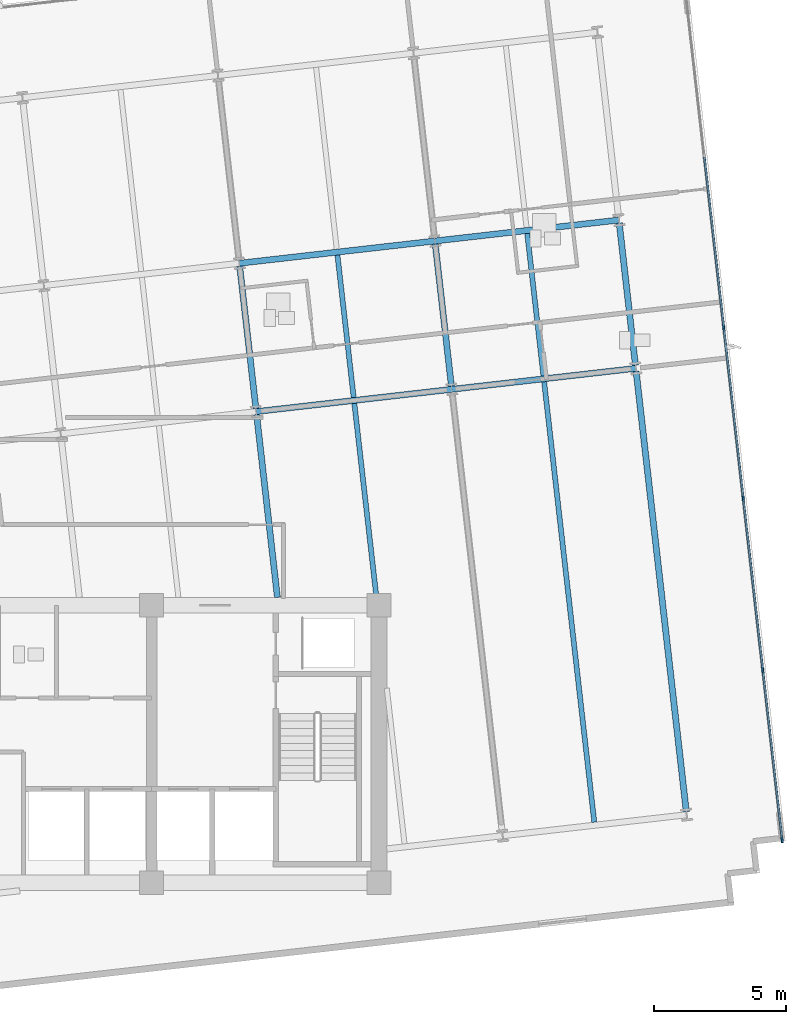
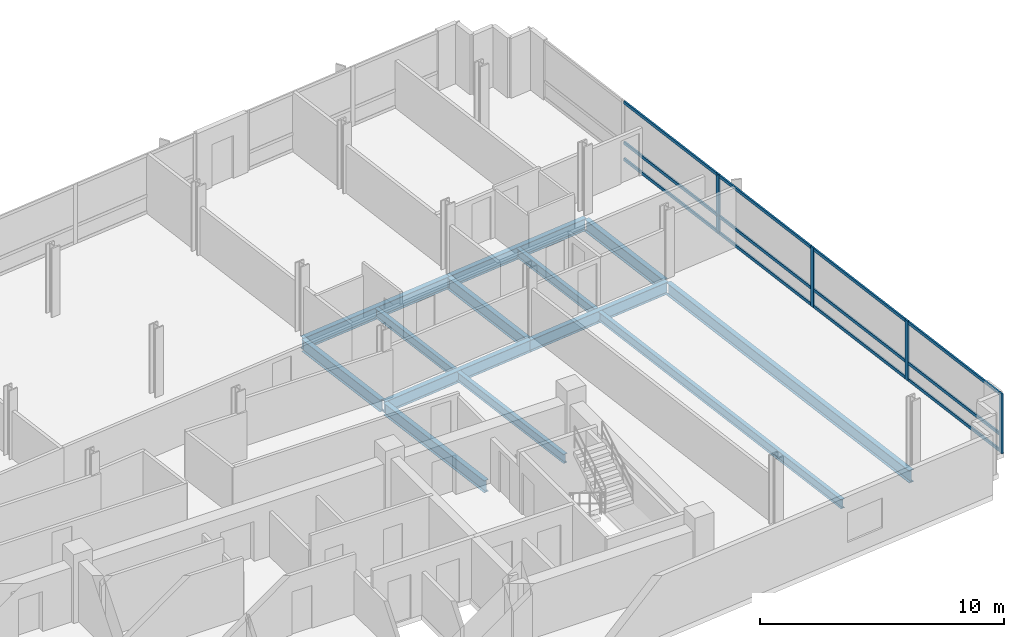
# One storey, part 4 of 14: 16 members, 13 beams, 1 element without a shape of its own.
"""IFC4 building model written with IfcOpenShell, lengths in metres."""

from ifc_helpers import new_model, si_unit, direction, frame, origin, origin_2d, place, context, subcontext, project, spatial, rectangle, i_section, extrude, material, material_profile, profile_set, type_object, element, aggregate, save


model = new_model("IFC4")

# Units and contexts
model_context = context("Model", 3, precision=1e-05, world=origin(), true_north=direction((0.0, 1.0)))
body_context = subcontext(model_context, "Body", "Model", "MODEL_VIEW")
ifc_project = project(units=[si_unit("LENGTHUNIT", "METRE"), si_unit("AREAUNIT", "SQUARE_METRE"), si_unit("VOLUMEUNIT", "CUBIC_METRE"), si_unit("PLANEANGLEUNIT", "RADIAN"), si_unit("MASSUNIT", "GRAM", prefix="KILO")], contexts=[model_context])

# Site, building, storey
site_placement = place(None, origin())
site = spatial("IfcSite", under=ifc_project, at=site_placement, CompositionType="ELEMENT")
building_placement = place(site_placement, origin())
building = spatial("IfcBuilding", under=site, at=building_placement, Name="Solmavex Isthmus Hotel", CompositionType="ELEMENT")
storey_placement = place(building_placement, frame((0.0, 0.0, 236.550048828125)))
storey = spatial("IfcBuildingStorey", under=building, at=storey_placement, Name="L64", CompositionType="ELEMENT", Elevation=236.550048828125)

# Beams
ifc_material_1 = material(Name="Steel ASTM A992 Grade 50", Category="steel")
ifc_material_profile_1 = material_profile(ifc_material_1, i_section(OverallWidth=0.1904296875, OverallDepth=0.456787109375, WebThickness=0.009033203125, FlangeThickness=0.014404296875, FilletRadius=0.0126953125, at=origin_2d()), Name="W18X50")
ifc_profile_set_1 = profile_set([ifc_material_profile_1], Name="Steel ASTM A992 Grade 50")
beam_type_1 = type_object("IfcBeamType", Name="BM-BJ-W18X50", PredefinedType="JOIST", material=ifc_profile_set_1)
beam_1_placement = place(storey_placement, frame((15.908447265625, -2.199951171875, -0.488525390625), z_axis=(-0.113224925382, 0.99356938171, 0.0), x_axis=(-0.99356938171, -0.113224925382, 0.0)))
element("IfcBeam", 1, at=beam_1_placement, inside=storey, type_object=beam_type_1, Name="Secondary Floor Joist L64-J16", PredefinedType="JOIST", context=body_context, shape_type="SweptSolid", body=[
    extrude(i_section(OverallWidth=0.1904296875, OverallDepth=0.456787109375, WebThickness=0.009033203125, FlangeThickness=0.014404296875, FilletRadius=0.0126953125, at=origin_2d()), origin(), (0.0, 0.0, 1.0), 7.38525390625),
])
beam_2_placement = place(storey_placement, frame((15.046630859375, 5.364013671875, -0.488525390625), z_axis=(-0.113189626161, 0.993573403695, 0.0), x_axis=(-0.993573403695, -0.113189626161, 0.0)))
element("IfcBeam", 2, at=beam_2_placement, inside=storey, type_object=beam_type_1, Name="Secondary Floor Joist L64-J17", PredefinedType="JOIST", context=body_context, shape_type="SweptSolid", body=[
    extrude(i_section(OverallWidth=0.1904296875, OverallDepth=0.456787109375, WebThickness=0.009033203125, FlangeThickness=0.014404296875, FilletRadius=0.0126953125, at=origin_2d()), origin(), (0.0, 0.0, 1.0), 5.42041015625),
])
beam_3_placement = place(storey_placement, frame((24.1513671875, -10.707275390625, -0.488525390625), z_axis=(-0.113198426291, 0.993572401129, 0.0), x_axis=(-0.993572401129, -0.113198426291, 0.0)))
element("IfcBeam", 3, at=beam_3_placement, inside=storey, type_object=beam_type_1, Name="Secondary Floor Joist L64-J19", PredefinedType="JOIST", context=body_context, shape_type="SweptSolid", body=[
    extrude(i_section(OverallWidth=0.1904296875, OverallDepth=0.456787109375, WebThickness=0.009033203125, FlangeThickness=0.014404296875, FilletRadius=0.0126953125, at=origin_2d()), origin(), (0.0, 0.0, 1.0), 16.77099609375),
])
beam_4_placement = place(storey_placement, frame((22.22705078125, 6.18212890625, -0.488525390625), z_axis=(-0.113189626161, 0.993573403695, 0.0), x_axis=(-0.993573403695, -0.113189626161, 0.0)))
element("IfcBeam", 4, at=beam_4_placement, inside=storey, type_object=beam_type_1, Name="Secondary Floor Joist L64-J20", PredefinedType="JOIST", context=body_context, shape_type="SweptSolid", body=[
    extrude(i_section(OverallWidth=0.1904296875, OverallDepth=0.456787109375, WebThickness=0.009033203125, FlangeThickness=0.014404296875, FilletRadius=0.0126953125, at=origin_2d()), origin(), (0.0, 0.0, 1.0), 5.42041015625),
])
ifc_material_profile_2 = material_profile(ifc_material_1, i_section(OverallWidth=0.227783203125, OverallDepth=0.602783203125, WebThickness=0.010498046875, FlangeThickness=0.014892578125, FilletRadius=0.01513671875, at=origin_2d()), Name="W24X68")
ifc_profile_set_2 = profile_set([ifc_material_profile_2], Name="Steel ASTM A992 Grade 50")
beam_type_2 = type_object("IfcBeamType", Name="BM-BM-W24X68", PredefinedType="BEAM", material=ifc_profile_set_2)
beam_5_placement = place(storey_placement, frame((11.3603515625, 4.829345703125, -0.561279296875), z_axis=(0.9935703463, 0.113216460607, 0.0), x_axis=(-0.113216460607, 0.9935703463, 0.0)))
element("IfcBeam", 5, at=beam_5_placement, inside=storey, type_object=beam_type_2, Name="Floor Girder L64-UG10", PredefinedType="BEAM", context=body_context, shape_type="SweptSolid", body=[
    extrude(i_section(OverallWidth=0.227783203125, OverallDepth=0.602783203125, WebThickness=0.010498046875, FlangeThickness=0.014892578125, FilletRadius=0.01513671875, at=origin_2d()), origin(), (0.0, 0.0, 1.0), 7.446044921875),
])
beam_6_placement = place(storey_placement, frame((18.758544921875, 5.67236328125, -0.561279296875), z_axis=(0.99357359356, 0.113187959519, 0.0), x_axis=(-0.113187959519, 0.99357359356, 0.0)))
element("IfcBeam", 6, at=beam_6_placement, inside=storey, type_object=beam_type_2, Name="Floor Girder L64-UG11", PredefinedType="BEAM", context=body_context, shape_type="SweptSolid", body=[
    extrude(i_section(OverallWidth=0.227783203125, OverallDepth=0.602783203125, WebThickness=0.010498046875, FlangeThickness=0.014892578125, FilletRadius=0.01513671875, at=origin_2d()), origin(), (0.0, 0.0, 1.0), 7.0078125),
])
beam_7_placement = place(storey_placement, frame((10.720947265625, 10.441162109375, -0.561279296875), z_axis=(0.993574034044, 0.113184092846, 0.0), x_axis=(-0.113184092846, 0.993574034044, 0.0)))
element("IfcBeam", 7, at=beam_7_placement, inside=storey, type_object=beam_type_2, Name="Floor Girder L64-UG16", PredefinedType="BEAM", context=body_context, shape_type="SweptSolid", body=[
    extrude(i_section(OverallWidth=0.227783203125, OverallDepth=0.602783203125, WebThickness=0.010498046875, FlangeThickness=0.014892578125, FilletRadius=0.01513671875, at=origin_2d()), origin(), (0.0, 0.0, 1.0), 7.446044921875),
])
beam_8_placement = place(storey_placement, frame((18.119140625, 11.283935546875, -0.561279296875), z_axis=(0.993569675103, 0.113222350774, 0.0), x_axis=(-0.113222350774, 0.993569675103, 0.0)))
element("IfcBeam", 8, at=beam_8_placement, inside=storey, type_object=beam_type_2, Name="Floor Girder L64-UG17", PredefinedType="BEAM", context=body_context, shape_type="SweptSolid", body=[
    extrude(i_section(OverallWidth=0.227783203125, OverallDepth=0.602783203125, WebThickness=0.010498046875, FlangeThickness=0.014892578125, FilletRadius=0.01513671875, at=origin_2d()), origin(), (0.0, 0.0, 1.0), 7.008056640625),
])
beam_9_placement = place(storey_placement, frame((12.161376953125, -2.199951171875, -0.561279296875), z_axis=(-0.113214229187, 0.993570600566, 0.0), x_axis=(-0.993570600566, -0.113214229187, 0.0)))
element("IfcBeam", 9, at=beam_9_placement, inside=storey, type_object=beam_type_2, Name="Floor Beam L64-VG37", PredefinedType="BEAM", context=body_context, shape_type="SweptSolid", body=[
    extrude(i_section(OverallWidth=0.227783203125, OverallDepth=0.602783203125, WebThickness=0.010498046875, FlangeThickness=0.014892578125, FilletRadius=0.01513671875, at=origin_2d()), origin(), (0.0, 0.0, 1.0), 6.9609375),
])
beam_10_placement = place(storey_placement, frame((11.347412109375, 4.942626953125, -0.561279296875), z_axis=(-0.113194691868, 0.993572826587, 0.0), x_axis=(-0.993572826587, -0.113194691868, 0.0)))
element("IfcBeam", 10, at=beam_10_placement, inside=storey, type_object=beam_type_2, Name="Floor Beam L64-VG38", PredefinedType="BEAM", context=body_context, shape_type="SweptSolid", body=[
    extrude(i_section(OverallWidth=0.227783203125, OverallDepth=0.602783203125, WebThickness=0.010498046875, FlangeThickness=0.014892578125, FilletRadius=0.01513671875, at=origin_2d()), origin(), (0.0, 0.0, 1.0), 5.420166015625),
])
beam_11_placement = place(storey_placement, frame((18.74560546875, 5.785400390625, -0.561279296875), z_axis=(-0.113189626161, 0.993573403695, 0.0), x_axis=(-0.993573403695, -0.113189626161, 0.0)))
element("IfcBeam", 11, at=beam_11_placement, inside=storey, type_object=beam_type_2, Name="Floor Beam L64-VG41", PredefinedType="BEAM", context=body_context, shape_type="SweptSolid", body=[
    extrude(i_section(OverallWidth=0.227783203125, OverallDepth=0.602783203125, WebThickness=0.010498046875, FlangeThickness=0.014892578125, FilletRadius=0.01513671875, at=origin_2d()), origin(), (0.0, 0.0, 1.0), 5.42041015625),
])
ifc_material_profile_3 = material_profile(ifc_material_1, i_section(OverallWidth=0.230224609375, OverallDepth=0.617431640625, WebThickness=0.01318359375, FlangeThickness=0.022216796875, FilletRadius=0.01513671875, at=origin_2d()), Name="W24X94")
ifc_profile_set_3 = profile_set([ifc_material_profile_3], Name="Steel ASTM A992 Grade 50")
beam_type_3 = type_object("IfcBeamType", Name="BM-SP-W24X94", PredefinedType="SPANDREL", material=ifc_profile_set_3)
beam_12_placement = place(storey_placement, frame((27.6328125, -10.310546875, -0.56884765625), z_axis=(-0.113198426291, 0.993572401129, 0.0), x_axis=(-0.993572401129, -0.113198426291, 0.0)))
element("IfcBeam", 12, at=beam_12_placement, inside=storey, type_object=beam_type_3, Name="Floor Beam L64-VG43", PredefinedType="SPANDREL", context=body_context, shape_type="SweptSolid", body=[
    extrude(i_section(OverallWidth=0.230224609375, OverallDepth=0.617431640625, WebThickness=0.01318359375, FlangeThickness=0.022216796875, FilletRadius=0.01513671875, at=origin_2d()), origin(), (0.0, 0.0, 1.0), 16.77099609375),
])
beam_13_placement = place(storey_placement, frame((25.70849609375, 6.578857421875, -0.56884765625), z_axis=(-0.113194691868, 0.993572826587, 0.0), x_axis=(-0.993572826587, -0.113194691868, 0.0)))
element("IfcBeam", 13, at=beam_13_placement, inside=storey, type_object=beam_type_3, Name="Floor Beam L64-VG44", PredefinedType="SPANDREL", context=body_context, shape_type="SweptSolid", body=[
    extrude(i_section(OverallWidth=0.230224609375, OverallDepth=0.617431640625, WebThickness=0.01318359375, FlangeThickness=0.022216796875, FilletRadius=0.01513671875, at=origin_2d()), origin(), (0.0, 0.0, 1.0), 5.420166015625),
])

# Curtain wall, members
ifc_material_2 = material(Name="Aluminium alloy 6063-T6", Category="aluminium")
curtain_wall_type = type_object("IfcCurtainWallType", Name="CW-SYS-04", PredefinedType="NOTDEFINED", material=ifc_material_2)
curtain_wall_placement = place(storey_placement, origin())
curtain_wall = element("IfcCurtainWall", 14, at=curtain_wall_placement, inside=storey, type_object=curtain_wall_type, Name="Stick Curtain Wall CWL-L64-E1", PredefinedType="NOTDEFINED")
ifc_material_profile_4 = material_profile(ifc_material_2, rectangle(XDim=0.074951171875, YDim=0.199951171875, at=origin_2d()), Name="CWM-75X200")
ifc_profile_set_4 = profile_set([ifc_material_profile_4], Name="Aluminium alloy 6063-T6")
member_type_1 = type_object("IfcMemberType", Name="CW-SYS-04-MUL", PredefinedType="MULLION", material=ifc_profile_set_4)
member_1_placement = place(storey_placement, frame((31.2578125, -11.384765625, 0.0), z_axis=(0.0, 0.0, 1.0), x_axis=(-0.993571836648, -0.11320338078, 0.0)))
member_1 = element("IfcMember", 15, at=member_1_placement, type_object=member_type_1, Name="CW-04 mullion 1", PredefinedType="MULLION", context=body_context, shape_type="SweptSolid", body=[
    extrude(rectangle(XDim=0.074951171875, YDim=0.199951171875, at=origin_2d()), origin(), (0.0, 0.0, 1.0), 3.0),
])
member_2_placement = place(storey_placement, frame((30.52392578125, -4.944091796875, 0.0), z_axis=(0.0, 0.0, 1.0), x_axis=(-0.993571836648, -0.11320338078, 0.0)))
member_2 = element("IfcMember", 16, at=member_2_placement, type_object=member_type_1, Name="CW-04 mullion 2", PredefinedType="MULLION", context=body_context, shape_type="SweptSolid", body=[
    extrude(rectangle(XDim=0.074951171875, YDim=0.199951171875, at=origin_2d()), origin(), (0.0, 0.0, 1.0), 3.0),
])
member_3_placement = place(storey_placement, frame((29.785888671875, 1.533935546875, 0.0), z_axis=(0.0, 0.0, 1.0), x_axis=(-0.993571836648, -0.11320338078, 0.0)))
member_3 = element("IfcMember", 17, at=member_3_placement, type_object=member_type_1, Name="CW-04 mullion 3", PredefinedType="MULLION", context=body_context, shape_type="SweptSolid", body=[
    extrude(rectangle(XDim=0.074951171875, YDim=0.199951171875, at=origin_2d()), origin(), (0.0, 0.0, 1.0), 3.0),
])
member_4_placement = place(storey_placement, frame((29.0478515625, 8.01220703125, 0.0), z_axis=(0.0, 0.0, 1.0), x_axis=(-0.993571836648, -0.11320338078, 0.0)))
member_4 = element("IfcMember", 18, at=member_4_placement, type_object=member_type_1, Name="CW-04 mullion 4", PredefinedType="MULLION", context=body_context, shape_type="SweptSolid", body=[
    extrude(rectangle(XDim=0.074951171875, YDim=0.199951171875, at=origin_2d()), origin(), (0.0, 0.0, 1.0), 3.0),
])
ifc_material_profile_5 = material_profile(ifc_material_2, rectangle(XDim=0.074951171875, YDim=0.14990234375, at=origin_2d()), Name="CWT-75X150")
ifc_profile_set_5 = profile_set([ifc_material_profile_5], Name="Aluminium alloy 6063-T6")
member_type_2 = type_object("IfcMemberType", Name="CW-SYS-04-TRN", PredefinedType="USERDEFINED", material=ifc_profile_set_5)
member_5_placement = place(storey_placement, frame((31.253662109375, -11.34765625, 0.074951171875), z_axis=(-0.113199495412, 0.993572279323, 0.0), x_axis=(-0.993572279323, -0.113199495412, 0.0)))
member_5 = element("IfcMember", 19, at=member_5_placement, type_object=member_type_2, Name="CW-04 transom 1.1", ObjectType="TRANSOM", PredefinedType="USERDEFINED", context=body_context, shape_type="SweptSolid", body=[
    extrude(rectangle(XDim=0.074951171875, YDim=0.14990234375, at=origin_2d()), origin(), (0.0, 0.0, 1.0), 6.40771484375),
])
member_6_placement = place(storey_placement, frame((31.253662109375, -11.34765625, 0.89990234375), z_axis=(-0.113199495412, 0.993572279323, 0.0), x_axis=(-0.993572279323, -0.113199495412, 0.0)))
member_6 = element("IfcMember", 20, at=member_6_placement, type_object=member_type_2, Name="CW-04 transom 1.2", ObjectType="TRANSOM", PredefinedType="USERDEFINED", context=body_context, shape_type="SweptSolid", body=[
    extrude(rectangle(XDim=0.074951171875, YDim=0.14990234375, at=origin_2d()), origin(), (0.0, 0.0, 1.0), 6.40771484375),
])
member_7_placement = place(storey_placement, frame((31.253662109375, -11.34765625, 2.925048828125), z_axis=(-0.113199495412, 0.993572279323, 0.0), x_axis=(-0.993572279323, -0.113199495412, 0.0)))
member_7 = element("IfcMember", 21, at=member_7_placement, type_object=member_type_2, Name="CW-04 transom 1.3", ObjectType="TRANSOM", PredefinedType="USERDEFINED", context=body_context, shape_type="SweptSolid", body=[
    extrude(rectangle(XDim=0.074951171875, YDim=0.14990234375, at=origin_2d()), origin(), (0.0, 0.0, 1.0), 6.40771484375),
])
member_8_placement = place(storey_placement, frame((30.519775390625, -4.90673828125, 0.074951171875), z_axis=(-0.113225012477, 0.993569371785, 0.0), x_axis=(-0.993569371785, -0.113225012477, 0.0)))
member_8 = element("IfcMember", 22, at=member_8_placement, type_object=member_type_2, Name="CW-04 transom 2.1", ObjectType="TRANSOM", PredefinedType="USERDEFINED", context=body_context, shape_type="SweptSolid", body=[
    extrude(rectangle(XDim=0.074951171875, YDim=0.14990234375, at=origin_2d()), origin(), (0.0, 0.0, 1.0), 6.445068359375),
])
member_9_placement = place(storey_placement, frame((30.519775390625, -4.90673828125, 0.89990234375), z_axis=(-0.113225012477, 0.993569371785, 0.0), x_axis=(-0.993569371785, -0.113225012477, 0.0)))
member_9 = element("IfcMember", 23, at=member_9_placement, type_object=member_type_2, Name="CW-04 transom 2.2", ObjectType="TRANSOM", PredefinedType="USERDEFINED", context=body_context, shape_type="SweptSolid", body=[
    extrude(rectangle(XDim=0.074951171875, YDim=0.14990234375, at=origin_2d()), origin(), (0.0, 0.0, 1.0), 6.445068359375),
])
member_10_placement = place(storey_placement, frame((30.519775390625, -4.90673828125, 2.925048828125), z_axis=(-0.113225012477, 0.993569371785, 0.0), x_axis=(-0.993569371785, -0.113225012477, 0.0)))
member_10 = element("IfcMember", 24, at=member_10_placement, type_object=member_type_2, Name="CW-04 transom 2.3", ObjectType="TRANSOM", PredefinedType="USERDEFINED", context=body_context, shape_type="SweptSolid", body=[
    extrude(rectangle(XDim=0.074951171875, YDim=0.14990234375, at=origin_2d()), origin(), (0.0, 0.0, 1.0), 6.445068359375),
])
member_11_placement = place(storey_placement, frame((29.78173828125, 1.5712890625, 0.074951171875), z_axis=(-0.113225012477, 0.993569371785, 0.0), x_axis=(-0.993569371785, -0.113225012477, 0.0)))
member_11 = element("IfcMember", 25, at=member_11_placement, type_object=member_type_2, Name="CW-04 transom 3.1", ObjectType="TRANSOM", PredefinedType="USERDEFINED", context=body_context, shape_type="SweptSolid", body=[
    extrude(rectangle(XDim=0.074951171875, YDim=0.14990234375, at=origin_2d()), origin(), (0.0, 0.0, 1.0), 6.445068359375),
])
member_12_placement = place(storey_placement, frame((29.78173828125, 1.5712890625, 0.89990234375), z_axis=(-0.113225012477, 0.993569371785, 0.0), x_axis=(-0.993569371785, -0.113225012477, 0.0)))
member_12 = element("IfcMember", 26, at=member_12_placement, type_object=member_type_2, Name="CW-04 transom 3.2", ObjectType="TRANSOM", PredefinedType="USERDEFINED", context=body_context, shape_type="SweptSolid", body=[
    extrude(rectangle(XDim=0.074951171875, YDim=0.14990234375, at=origin_2d()), origin(), (0.0, 0.0, 1.0), 6.445068359375),
])
member_13_placement = place(storey_placement, frame((29.78173828125, 1.5712890625, 2.925048828125), z_axis=(-0.113225012477, 0.993569371785, 0.0), x_axis=(-0.993569371785, -0.113225012477, 0.0)))
member_13 = element("IfcMember", 27, at=member_13_placement, type_object=member_type_2, Name="CW-04 transom 3.3", ObjectType="TRANSOM", PredefinedType="USERDEFINED", context=body_context, shape_type="SweptSolid", body=[
    extrude(rectangle(XDim=0.074951171875, YDim=0.14990234375, at=origin_2d()), origin(), (0.0, 0.0, 1.0), 6.445068359375),
])
member_14_placement = place(storey_placement, frame((29.04345703125, 8.04931640625, 0.074951171875), z_axis=(-0.113187617296, 0.993573632546, 0.0), x_axis=(-0.993573632546, -0.113187617296, 0.0)))
member_14 = element("IfcMember", 28, at=member_14_placement, type_object=member_type_2, Name="CW-04 transom 4.1", ObjectType="TRANSOM", PredefinedType="USERDEFINED", context=body_context, shape_type="SweptSolid", body=[
    extrude(rectangle(XDim=0.074951171875, YDim=0.14990234375, at=origin_2d()), origin(), (0.0, 0.0, 1.0), 6.445068359375),
])
member_15_placement = place(storey_placement, frame((29.04345703125, 8.04931640625, 0.89990234375), z_axis=(-0.113187617296, 0.993573632546, 0.0), x_axis=(-0.993573632546, -0.113187617296, 0.0)))
member_15 = element("IfcMember", 29, at=member_15_placement, type_object=member_type_2, Name="CW-04 transom 4.2", ObjectType="TRANSOM", PredefinedType="USERDEFINED", context=body_context, shape_type="SweptSolid", body=[
    extrude(rectangle(XDim=0.074951171875, YDim=0.14990234375, at=origin_2d()), origin(), (0.0, 0.0, 1.0), 6.445068359375),
])
member_16_placement = place(storey_placement, frame((29.04345703125, 8.04931640625, 2.925048828125), z_axis=(-0.113187617296, 0.993573632546, 0.0), x_axis=(-0.993573632546, -0.113187617296, 0.0)))
member_16 = element("IfcMember", 30, at=member_16_placement, type_object=member_type_2, Name="CW-04 transom 4.3", ObjectType="TRANSOM", PredefinedType="USERDEFINED", context=body_context, shape_type="SweptSolid", body=[
    extrude(rectangle(XDim=0.074951171875, YDim=0.14990234375, at=origin_2d()), origin(), (0.0, 0.0, 1.0), 6.445068359375),
])
aggregate(curtain_wall, [member_1, member_2, member_3, member_4, member_5, member_6, member_7, member_8, member_9, member_10, member_11, member_12, member_13, member_14, member_15, member_16])

save(model, "model.ifc")
